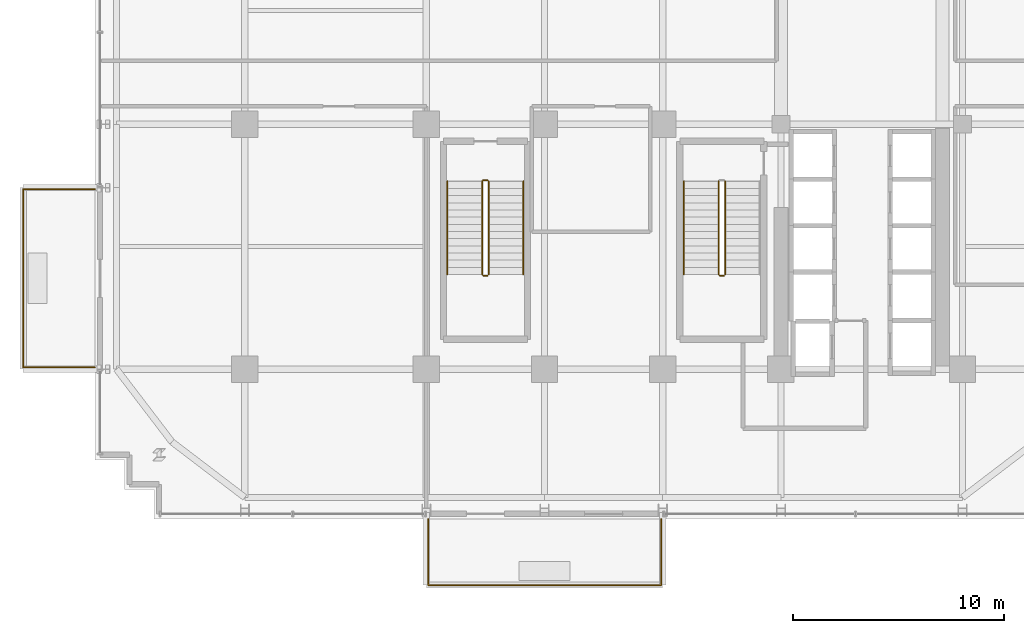
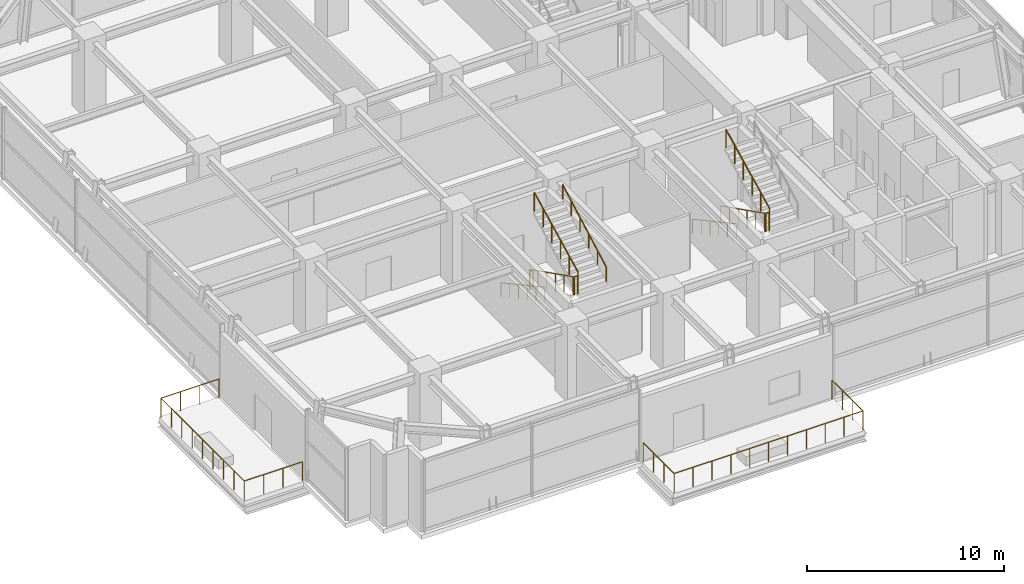
# One storey, part 24 of 26: 12 railings.
"""IFC4 building model written with IfcOpenShell, lengths in metres."""

from ifc_helpers import new_model, si_unit, direction, frame, origin, origin_2d, place, context, subcontext, project, spatial, circle, extrude, material, type_object, element, save


model = new_model("IFC4")

# Units and contexts
model_context = context("Model", 3, precision=1e-05, world=origin(), true_north=direction((0.0, 1.0)))
body_context = subcontext(model_context, "Body", "Model", "MODEL_VIEW")
ifc_project = project(units=[si_unit("LENGTHUNIT", "METRE"), si_unit("AREAUNIT", "SQUARE_METRE"), si_unit("VOLUMEUNIT", "CUBIC_METRE"), si_unit("PLANEANGLEUNIT", "RADIAN"), si_unit("MASSUNIT", "GRAM", prefix="KILO")], contexts=[model_context])

# Site, building, storey
site_placement = place(None, origin())
site = spatial("IfcSite", under=ifc_project, at=site_placement, CompositionType="ELEMENT")
building_placement = place(site_placement, origin())
building = spatial("IfcBuilding", under=site, at=building_placement, Name="Nahalor Promenade Grand Hotel", CompositionType="ELEMENT")
storey_placement = place(building_placement, frame((0.0, 0.0, 139.39990234375)))
storey = spatial("IfcBuildingStorey", under=building, at=storey_placement, Name="L35", CompositionType="ELEMENT", Elevation=139.39990234375)

# Railings
ifc_material_1 = material(Name="Anodised Bronze Aluminium EN AW-6063 T6", Category="aluminium")
railing_type_1 = type_object("IfcRailingType", Name="Bronze Balcony Guardrail 1200 mm", PredefinedType="GUARDRAIL", material=ifc_material_1)
railing_1_placement = place(storey_placement, frame((-8.320068359375, -24.10009765625, 0.0)))
element("IfcRailing", 1, at=railing_1_placement, inside=storey, type_object=railing_type_1, Name="L35 Balcony Guardrail 1", PredefinedType="GUARDRAIL", context=body_context, shape_type="SweptSolid", body=[
    extrude(circle(Radius=0.024048, at=origin_2d()), frame((0.0, 0.0, 1.17578125), z_axis=(0.0, -1.0, 0.0), x_axis=(1.0, 0.0, 0.0)), (0.0, 0.0, 1.0), 3.1279296875),
    extrude(circle(Radius=0.024048, at=origin_2d()), frame((0.001953125, -3.1298828125, 1.17578125), z_axis=(1.0, 0.0, 0.0), x_axis=(0.0, 1.0, 0.0)), (0.0, 0.0, 1.0), 11.0361328125),
    extrude(circle(Radius=0.024048, at=origin_2d()), frame((11.0400390625, -3.1279296875, 1.17578125), z_axis=(0.0, 1.0, 0.0), x_axis=(-1.0, 0.0, 0.0)), (0.0, 0.0, 1.0), 3.1279296875),
    extrude(circle(Radius=0.020996, at=origin_2d()), origin(), (0.0, 0.0, 1.0), 1.14990234375),
    extrude(circle(Radius=0.020996, at=origin_2d()), frame((0.0, -1.043212890625, 0.0)), (0.0, 0.0, 1.0), 1.14990234375),
    extrude(circle(Radius=0.020996, at=origin_2d()), frame((0.0, -2.086669921875, 0.0)), (0.0, 0.0, 1.0), 1.14990234375),
    extrude(circle(Radius=0.020996, at=origin_2d()), frame((0.0, -3.1298828125, 0.0)), (0.0, 0.0, 1.0), 1.14990234375),
    extrude(circle(Radius=0.020996, at=origin_2d()), frame((1.10400390625, -3.1298828125, 0.0)), (0.0, 0.0, 1.0), 1.14990234375),
    extrude(circle(Radius=0.020996, at=origin_2d()), frame((2.2080078125, -3.1298828125, 0.0)), (0.0, 0.0, 1.0), 1.14990234375),
    extrude(circle(Radius=0.020996, at=origin_2d()), frame((3.31201171875, -3.1298828125, 0.0)), (0.0, 0.0, 1.0), 1.14990234375),
    extrude(circle(Radius=0.020996, at=origin_2d()), frame((4.416015625, -3.1298828125, 0.0)), (0.0, 0.0, 1.0), 1.14990234375),
    extrude(circle(Radius=0.020996, at=origin_2d()), frame((5.52001953125, -3.1298828125, 0.0)), (0.0, 0.0, 1.0), 1.14990234375),
    extrude(circle(Radius=0.020996, at=origin_2d()), frame((6.6240234375, -3.1298828125, 0.0)), (0.0, 0.0, 1.0), 1.14990234375),
    extrude(circle(Radius=0.020996, at=origin_2d()), frame((7.72802734375, -3.1298828125, 0.0)), (0.0, 0.0, 1.0), 1.14990234375),
    extrude(circle(Radius=0.020996, at=origin_2d()), frame((8.83203125, -3.1298828125, 0.0)), (0.0, 0.0, 1.0), 1.14990234375),
    extrude(circle(Radius=0.020996, at=origin_2d()), frame((9.93603515625, -3.1298828125, 0.0)), (0.0, 0.0, 1.0), 1.14990234375),
    extrude(circle(Radius=0.020996, at=origin_2d()), frame((11.0400390625, -3.1298828125, 0.0)), (0.0, 0.0, 1.0), 1.14990234375),
    extrude(circle(Radius=0.020996, at=origin_2d()), frame((11.0400390625, -2.086669921875, 0.0)), (0.0, 0.0, 1.0), 1.14990234375),
    extrude(circle(Radius=0.020996, at=origin_2d()), frame((11.0400390625, -1.043212890625, 0.0)), (0.0, 0.0, 1.0), 1.14990234375),
    extrude(circle(Radius=0.020996, at=origin_2d()), frame((11.0400390625, 0.0, 0.0)), (0.0, 0.0, 1.0), 1.14990234375),
])
railing_2_placement = place(storey_placement, frame((-24.10009765625, -16.919921875, 0.0)))
element("IfcRailing", 2, at=railing_2_placement, inside=storey, type_object=railing_type_1, Name="L35 Balcony Guardrail 2", PredefinedType="GUARDRAIL", context=body_context, shape_type="SweptSolid", body=[
    extrude(circle(Radius=0.024048, at=origin_2d()), frame((0.0, 0.0, 1.17578125), z_axis=(-1.0, 0.0, 0.0), x_axis=(0.0, -1.0, 0.0)), (0.0, 0.0, 1.0), 3.39794921875),
    extrude(circle(Radius=0.024048, at=origin_2d()), frame((-3.39990234375, 0.001953125, 1.17578125), z_axis=(0.0, 1.0, 0.0), x_axis=(-1.0, 0.0, 0.0)), (0.0, 0.0, 1.0), 8.43603515625),
    extrude(circle(Radius=0.024048, at=origin_2d()), frame((-3.39794921875, 8.43994140625, 1.17578125), z_axis=(1.0, 0.0, 0.0), x_axis=(0.0, 1.0, 0.0)), (0.0, 0.0, 1.0), 3.39794921875),
    extrude(circle(Radius=0.020996, at=origin_2d()), origin(), (0.0, 0.0, 1.0), 1.14990234375),
    extrude(circle(Radius=0.020996, at=origin_2d()), frame((-1.13330078125, 0.0, 0.0)), (0.0, 0.0, 1.0), 1.14990234375),
    extrude(circle(Radius=0.020996, at=origin_2d()), frame((-2.2666015625, 0.0, 0.0)), (0.0, 0.0, 1.0), 1.14990234375),
    extrude(circle(Radius=0.020996, at=origin_2d()), frame((-3.39990234375, 0.0, 0.0)), (0.0, 0.0, 1.0), 1.14990234375),
    extrude(circle(Radius=0.020996, at=origin_2d()), frame((-3.39990234375, 1.054931640625, 0.0)), (0.0, 0.0, 1.0), 1.14990234375),
    extrude(circle(Radius=0.020996, at=origin_2d()), frame((-3.39990234375, 2.10986328125, 0.0)), (0.0, 0.0, 1.0), 1.14990234375),
    extrude(circle(Radius=0.020996, at=origin_2d()), frame((-3.39990234375, 3.1650390625, 0.0)), (0.0, 0.0, 1.0), 1.14990234375),
    extrude(circle(Radius=0.020996, at=origin_2d()), frame((-3.39990234375, 4.219970703125, 0.0)), (0.0, 0.0, 1.0), 1.14990234375),
    extrude(circle(Radius=0.020996, at=origin_2d()), frame((-3.39990234375, 5.27490234375, 0.0)), (0.0, 0.0, 1.0), 1.14990234375),
    extrude(circle(Radius=0.020996, at=origin_2d()), frame((-3.39990234375, 6.330078125, 0.0)), (0.0, 0.0, 1.0), 1.14990234375),
    extrude(circle(Radius=0.020996, at=origin_2d()), frame((-3.39990234375, 7.385009765625, 0.0)), (0.0, 0.0, 1.0), 1.14990234375),
    extrude(circle(Radius=0.020996, at=origin_2d()), frame((-3.39990234375, 8.43994140625, 0.0)), (0.0, 0.0, 1.0), 1.14990234375),
    extrude(circle(Radius=0.020996, at=origin_2d()), frame((-2.2666015625, 8.43994140625, 0.0)), (0.0, 0.0, 1.0), 1.14990234375),
    extrude(circle(Radius=0.020996, at=origin_2d()), frame((-1.13330078125, 8.43994140625, 0.0)), (0.0, 0.0, 1.0), 1.14990234375),
    extrude(circle(Radius=0.020996, at=origin_2d()), frame((0.0, 8.43994140625, 0.0)), (0.0, 0.0, 1.0), 1.14990234375),
])
ifc_material_2 = material(Name="Steel S355JR", Category="steel")
railing_type_2 = type_object("IfcRailingType", Name="Steel Stair Guardrail 1150 mm", PredefinedType="GUARDRAIL", material=ifc_material_2)
railing_3_placement = place(storey_placement, frame((5.449951171875, -8.10009765625, 0.171630859375)))
element("IfcRailing", 3, at=railing_3_placement, inside=storey, type_object=railing_type_2, Name="L35 ST2 stair guard 1", PredefinedType="GUARDRAIL", context=body_context, shape_type="SweptSolid", body=[
    extrude(circle(Radius=0.024048, at=origin_2d()), frame((0.0, 0.0, 1.1259765625), z_axis=(0.0, -0.89292277971, 0.450209850486), x_axis=(1.0, 0.0, 0.0)), (0.0, 0.0, 1.0), 4.949951171875),
    extrude(circle(Radius=0.020996, at=origin_2d()), origin(), (0.0, 0.0, 1.0), 1.099853515625),
    extrude(circle(Radius=0.020996, at=origin_2d()), frame((0.0, -0.884033203125, 0.44580078125)), (0.0, 0.0, 1.0), 1.099853515625),
    extrude(circle(Radius=0.020996, at=origin_2d()), frame((0.0, -1.76806640625, 0.891357421875)), (0.0, 0.0, 1.0), 1.099853515625),
    extrude(circle(Radius=0.020996, at=origin_2d()), frame((0.0, -2.65185546875, 1.337158203125)), (0.0, 0.0, 1.0), 1.099853515625),
    extrude(circle(Radius=0.020996, at=origin_2d()), frame((0.0, -3.535888671875, 1.78271484375)), (0.0, 0.0, 1.0), 1.099853515625),
    extrude(circle(Radius=0.020996, at=origin_2d()), frame((0.0, -4.419921875, 2.228515625)), (0.0, 0.0, 1.0), 1.099853515625),
])
railing_4_placement = place(storey_placement, frame((5.5, -12.570068359375, 2.400146484375)))
element("IfcRailing", 4, at=railing_4_placement, inside=storey, type_object=railing_type_2, Name="L35 ST2 stair guard 2", PredefinedType="GUARDRAIL", context=body_context, shape_type="SweptSolid", body=[
    extrude(circle(Radius=0.024048, at=origin_2d()), frame((0.0, 0.0, 1.1259765625), z_axis=(1.0, 0.0, 0.0), x_axis=(0.0, 1.0, 0.0)), (0.0, 0.0, 1.0), 0.199951171875),
    extrude(circle(Radius=0.020996, at=origin_2d()), origin(), (0.0, 0.0, 1.0), 1.099853515625),
    extrude(circle(Radius=0.020996, at=origin_2d()), frame((0.199951171875, 0.0, 0.0)), (0.0, 0.0, 1.0), 1.099853515625),
])
railing_5_placement = place(storey_placement, frame((5.75, -12.52001953125, 2.571533203125)))
element("IfcRailing", 5, at=railing_5_placement, inside=storey, type_object=railing_type_2, Name="L35 ST2 stair guard 3", PredefinedType="GUARDRAIL", context=body_context, shape_type="SweptSolid", body=[
    extrude(circle(Radius=0.024048, at=origin_2d()), frame((0.0, 0.0, 1.1259765625), z_axis=(0.0, 0.89292277971, 0.450209850486), x_axis=(-1.0, 0.0, 0.0)), (0.0, 0.0, 1.0), 4.949951171875),
    extrude(circle(Radius=0.020996, at=origin_2d()), origin(), (0.0, 0.0, 1.0), 1.099853515625),
    extrude(circle(Radius=0.020996, at=origin_2d()), frame((0.0, 0.884033203125, 0.44580078125)), (0.0, 0.0, 1.0), 1.099853515625),
    extrude(circle(Radius=0.020996, at=origin_2d()), frame((0.0, 1.76806640625, 0.891357421875)), (0.0, 0.0, 1.0), 1.099853515625),
    extrude(circle(Radius=0.020996, at=origin_2d()), frame((0.0, 2.65185546875, 1.337158203125)), (0.0, 0.0, 1.0), 1.099853515625),
    extrude(circle(Radius=0.020996, at=origin_2d()), frame((0.0, 3.535888671875, 1.78271484375)), (0.0, 0.0, 1.0), 1.099853515625),
    extrude(circle(Radius=0.020996, at=origin_2d()), frame((0.0, 4.419921875, 2.228515625)), (0.0, 0.0, 1.0), 1.099853515625),
])
railing_6_placement = place(storey_placement, frame((-5.75, -8.10009765625, 0.171630859375)))
element("IfcRailing", 6, at=railing_6_placement, inside=storey, type_object=railing_type_2, Name="L35 ST3 stair guard 1", PredefinedType="GUARDRAIL", context=body_context, shape_type="SweptSolid", body=[
    extrude(circle(Radius=0.024048, at=origin_2d()), frame((0.0, 0.0, 1.1259765625), z_axis=(0.0, -0.89292277971, 0.450209850486), x_axis=(1.0, 0.0, 0.0)), (0.0, 0.0, 1.0), 4.949951171875),
    extrude(circle(Radius=0.020996, at=origin_2d()), origin(), (0.0, 0.0, 1.0), 1.099853515625),
    extrude(circle(Radius=0.020996, at=origin_2d()), frame((0.0, -0.884033203125, 0.44580078125)), (0.0, 0.0, 1.0), 1.099853515625),
    extrude(circle(Radius=0.020996, at=origin_2d()), frame((0.0, -1.76806640625, 0.891357421875)), (0.0, 0.0, 1.0), 1.099853515625),
    extrude(circle(Radius=0.020996, at=origin_2d()), frame((0.0, -2.65185546875, 1.337158203125)), (0.0, 0.0, 1.0), 1.099853515625),
    extrude(circle(Radius=0.020996, at=origin_2d()), frame((0.0, -3.535888671875, 1.78271484375)), (0.0, 0.0, 1.0), 1.099853515625),
    extrude(circle(Radius=0.020996, at=origin_2d()), frame((0.0, -4.419921875, 2.228515625)), (0.0, 0.0, 1.0), 1.099853515625),
])
railing_7_placement = place(storey_placement, frame((-5.699951171875, -12.570068359375, 2.400146484375)))
element("IfcRailing", 7, at=railing_7_placement, inside=storey, type_object=railing_type_2, Name="L35 ST3 stair guard 2", PredefinedType="GUARDRAIL", context=body_context, shape_type="SweptSolid", body=[
    extrude(circle(Radius=0.024048, at=origin_2d()), frame((0.0, 0.0, 1.1259765625), z_axis=(1.0, 0.0, 0.0), x_axis=(0.0, 1.0, 0.0)), (0.0, 0.0, 1.0), 0.199951171875),
    extrude(circle(Radius=0.020996, at=origin_2d()), origin(), (0.0, 0.0, 1.0), 1.099853515625),
    extrude(circle(Radius=0.020996, at=origin_2d()), frame((0.199951171875, 0.0, 0.0)), (0.0, 0.0, 1.0), 1.099853515625),
])
railing_8_placement = place(storey_placement, frame((-5.449951171875, -12.52001953125, 2.571533203125)))
element("IfcRailing", 8, at=railing_8_placement, inside=storey, type_object=railing_type_2, Name="L35 ST3 stair guard 3", PredefinedType="GUARDRAIL", context=body_context, shape_type="SweptSolid", body=[
    extrude(circle(Radius=0.024048, at=origin_2d()), frame((0.0, 0.0, 1.1259765625), z_axis=(0.0, 0.89292277971, 0.450209850486), x_axis=(-1.0, 0.0, 0.0)), (0.0, 0.0, 1.0), 4.949951171875),
    extrude(circle(Radius=0.020996, at=origin_2d()), origin(), (0.0, 0.0, 1.0), 1.099853515625),
    extrude(circle(Radius=0.020996, at=origin_2d()), frame((0.0, 0.884033203125, 0.44580078125)), (0.0, 0.0, 1.0), 1.099853515625),
    extrude(circle(Radius=0.020996, at=origin_2d()), frame((0.0, 1.76806640625, 0.891357421875)), (0.0, 0.0, 1.0), 1.099853515625),
    extrude(circle(Radius=0.020996, at=origin_2d()), frame((0.0, 2.65185546875, 1.337158203125)), (0.0, 0.0, 1.0), 1.099853515625),
    extrude(circle(Radius=0.020996, at=origin_2d()), frame((0.0, 3.535888671875, 1.78271484375)), (0.0, 0.0, 1.0), 1.099853515625),
    extrude(circle(Radius=0.020996, at=origin_2d()), frame((0.0, 4.419921875, 2.228515625)), (0.0, 0.0, 1.0), 1.099853515625),
])
railing_9_placement = place(storey_placement, frame((-5.699951171875, -8.050048828125, 0.0)))
element("IfcRailing", 9, at=railing_9_placement, inside=storey, type_object=railing_type_2, Name="L35 ST3 stair guard 4", PredefinedType="GUARDRAIL", context=body_context, shape_type="SweptSolid", body=[
    extrude(circle(Radius=0.024048, at=origin_2d()), frame((0.0, 0.0, 1.1259765625), z_axis=(1.0, 0.0, 0.0), x_axis=(0.0, 1.0, 0.0)), (0.0, 0.0, 1.0), 0.199951171875),
    extrude(circle(Radius=0.020996, at=origin_2d()), origin(), (0.0, 0.0, 1.0), 1.099853515625),
    extrude(circle(Radius=0.020996, at=origin_2d()), frame((0.199951171875, 0.0, 0.0)), (0.0, 0.0, 1.0), 1.099853515625),
])
railing_type_3 = type_object("IfcRailingType", Name="Steel Stair Handrail 900 mm", PredefinedType="HANDRAIL", material=ifc_material_2)
for number, where, name in (
    (10, (3.800048828125, -8.10009765625, 0.171630859375), "L35 ST2 stair handrail 1"),
    (11, (-7.39990234375, -8.10009765625, 0.171630859375), "L35 ST3 stair handrail 1"),
):
    element("IfcRailing", number, at=place(storey_placement, frame(where)), inside=storey, type_object=railing_type_3, Name=name, PredefinedType="HANDRAIL", context=body_context, shape_type="SweptSolid", body=[
        extrude(circle(Radius=0.024048, at=origin_2d()), frame((0.0, 0.0, 0.8759765625), z_axis=(0.0, -0.878810394976, 0.477171132491), x_axis=(1.0, 0.0, 0.0)), (0.0, 0.0, 1.0), 5.029541015625),
        extrude(circle(Radius=0.020996, at=origin_2d()), origin(), (0.0, 0.0, 1.0), 0.849853515625),
        extrude(circle(Radius=0.020996, at=origin_2d()), frame((0.0, -0.884033203125, 0.47998046875)), (0.0, 0.0, 1.0), 0.849853515625),
        extrude(circle(Radius=0.020996, at=origin_2d()), frame((0.0, -1.76806640625, 0.9599609375)), (0.0, 0.0, 1.0), 0.849853515625),
        extrude(circle(Radius=0.020996, at=origin_2d()), frame((0.0, -2.65185546875, 1.43994140625)), (0.0, 0.0, 1.0), 0.849853515625),
        extrude(circle(Radius=0.020996, at=origin_2d()), frame((0.0, -3.535888671875, 1.919921875)), (0.0, 0.0, 1.0), 0.849853515625),
        extrude(circle(Radius=0.020996, at=origin_2d()), frame((0.0, -4.419921875, 2.39990234375)), (0.0, 0.0, 1.0), 0.849853515625),
    ])
railing_10_placement = place(storey_placement, frame((-3.800048828125, -12.52001953125, 2.571533203125)))
element("IfcRailing", 12, at=railing_10_placement, inside=storey, type_object=railing_type_3, Name="L35 ST3 stair handrail 2", PredefinedType="HANDRAIL", context=body_context, shape_type="SweptSolid", body=[
    extrude(circle(Radius=0.024048, at=origin_2d()), frame((0.0, 0.0, 0.8759765625), z_axis=(0.0, 0.878810394976, 0.477171132491), x_axis=(-1.0, 0.0, 0.0)), (0.0, 0.0, 1.0), 5.029541015625),
    extrude(circle(Radius=0.020996, at=origin_2d()), origin(), (0.0, 0.0, 1.0), 0.849853515625),
    extrude(circle(Radius=0.020996, at=origin_2d()), frame((0.0, 0.884033203125, 0.47998046875)), (0.0, 0.0, 1.0), 0.849853515625),
    extrude(circle(Radius=0.020996, at=origin_2d()), frame((0.0, 1.76806640625, 0.9599609375)), (0.0, 0.0, 1.0), 0.849853515625),
    extrude(circle(Radius=0.020996, at=origin_2d()), frame((0.0, 2.65185546875, 1.43994140625)), (0.0, 0.0, 1.0), 0.849853515625),
    extrude(circle(Radius=0.020996, at=origin_2d()), frame((0.0, 3.535888671875, 1.919921875)), (0.0, 0.0, 1.0), 0.849853515625),
    extrude(circle(Radius=0.020996, at=origin_2d()), frame((0.0, 4.419921875, 2.39990234375)), (0.0, 0.0, 1.0), 0.849853515625),
])

save(model, "model.ifc")
